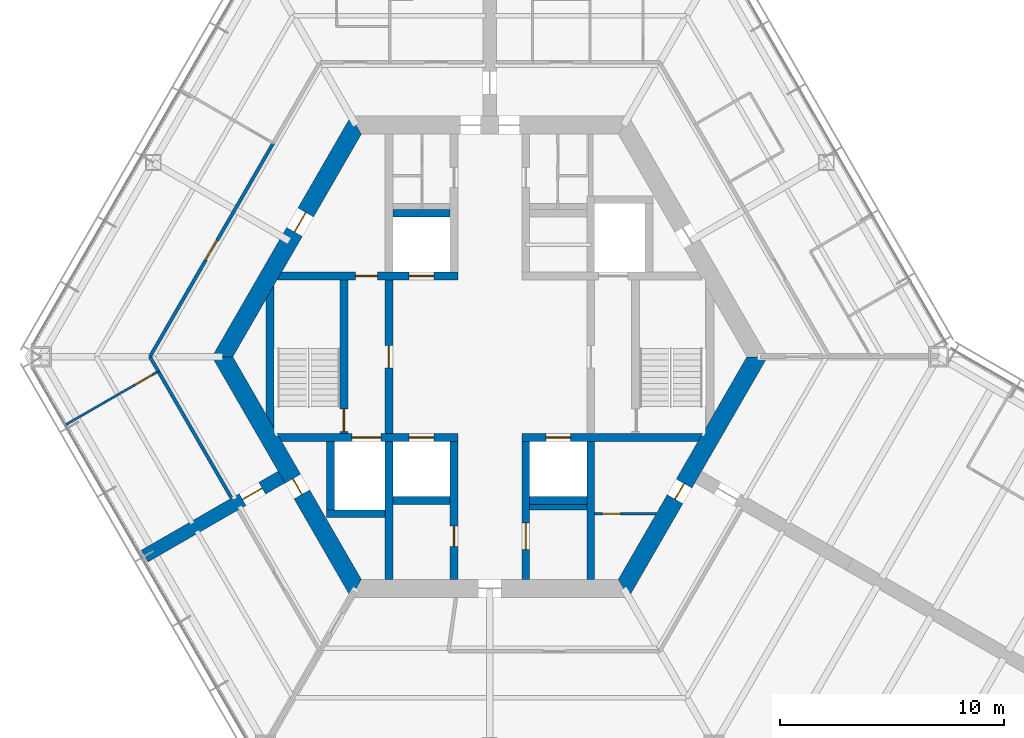
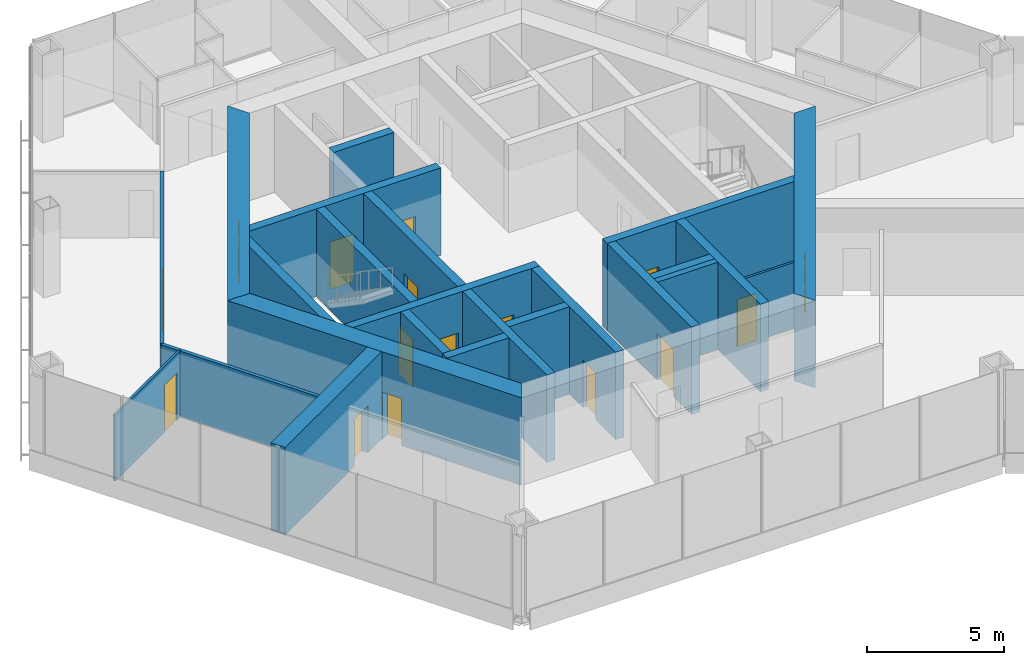
# One storey, part 10 of 15: 25 walls, 16 doors, 16 openings.
"""IFC4 building model written with IfcOpenShell, lengths in metres."""

from ifc_helpers import new_model, si_unit, direction, frame, frame_2d, origin, place, context, subcontext, project, spatial, polyline, rectangle, outline, extrude, material, layer, layer_set, type_object, element, fill, save


model = new_model("IFC4")

# Units and contexts
model_context = context("Model", 3, precision=1e-05, world=origin(), true_north=direction((0.0, 1.0)))
body_context = subcontext(model_context, "Body", "Model", "MODEL_VIEW")
ifc_project = project(units=[si_unit("LENGTHUNIT", "METRE"), si_unit("AREAUNIT", "SQUARE_METRE"), si_unit("VOLUMEUNIT", "CUBIC_METRE"), si_unit("PLANEANGLEUNIT", "RADIAN"), si_unit("MASSUNIT", "GRAM", prefix="KILO")], contexts=[model_context])

# Site, building, storey
site_placement = place(None, origin())
site = spatial("IfcSite", under=ifc_project, at=site_placement, CompositionType="ELEMENT")
building_placement = place(site_placement, origin())
building = spatial("IfcBuilding", under=site, at=building_placement, Name="Kasaneha Research Tower", CompositionType="ELEMENT")
storey_placement = place(building_placement, frame((0.0, 0.0, 212.800048828125)))
storey = spatial("IfcBuildingStorey", under=building, at=storey_placement, Name="L53", CompositionType="ELEMENT", Elevation=212.800048828125)

# Wall, openings, doors
ifc_material_1 = material(Name="Concrete Fc60", Category="concrete")
ifc_layer_1 = layer(ifc_material_1, 0.35009765625)
ifc_layer_set_1 = layer_set([ifc_layer_1], Name="Core internal wall 350 Fc60")
wall_type_1 = type_object("IfcWallType", Name="Core internal wall 350 Fc60", PredefinedType="SHEAR", material=ifc_layer_set_1)
wall_1_placement = place(storey_placement, frame((-9.3818359375, 3.60009765625, 0.0), z_axis=(0.0, 0.0, 1.0), x_axis=(1.0, 0.0, 0.0)))
wall_1 = element("IfcWall", 1, at=wall_1_placement, inside=storey, type_object=wall_type_1, Name="Core wall W1W L53", PredefinedType="SHEAR", context=body_context, shape_type="SweptSolid", body=[
    extrude(outline(polyline([(-0.10107421875, -0.175048828125), (3.3818359375, -0.175048828125), (4.3818359375, -0.175048828125), (5.781982421875, -0.175048828125), (6.882080078125, -0.175048828125), (7.956787109375, -0.175048828125), (7.956787109375, 0.175048828125), (6.882080078125, 0.175048828125), (5.781982421875, 0.175048828125), (4.3818359375, 0.175048828125), (3.3818359375, 0.175048828125), (0.10107421875, 0.175048828125), (-0.10107421875, -0.175048828125)])), origin(), (0.0, 0.0, 1.0), 3.89990234375),
])
opening_1_placement = place(wall_1_placement, frame((3.3818359375, 0.0, 0.0)))
opening_1 = element("IfcOpeningElement", 2, at=opening_1_placement, cuts=wall_1, Name="Opening L53-D12", PredefinedType="OPENING", context=body_context, shape_type="SweptSolid", body=[
    extrude(rectangle(XDim=1.0, YDim=2.10009765625, at=frame_2d((0.5, 1.050048828125))), frame((0.0, 0.18505859375, 0.0), z_axis=(0.0, -1.0, 0.0), x_axis=(1.0, 0.0, 0.0)), (0.0, 0.0, 1.0), 0.3701171875),
])
opening_2_placement = place(wall_1_placement, frame((5.781982421875, 0.0, 0.0)))
opening_2 = element("IfcOpeningElement", 3, at=opening_2_placement, cuts=wall_1, Name="Opening LD-LH2-L53", PredefinedType="OPENING", context=body_context, shape_type="SweptSolid", body=[
    extrude(rectangle(XDim=1.10009765625, YDim=2.10009765625, at=frame_2d((0.550048828125, 1.050048828125))), frame((0.0, 0.18505859375, 0.0), z_axis=(0.0, -1.0, 0.0), x_axis=(1.0, 0.0, 0.0)), (0.0, 0.0, 1.0), 0.3701171875),
])
ifc_material_2 = material(Name="Steel", Category="steel")
door_type_1 = type_object("IfcDoorType", Name="Lift landing door 1100x2100", OperationType="DOUBLE_DOOR_SLIDING", PredefinedType="DOOR", material=ifc_material_2)
door_1_placement = place(opening_2_placement, origin())
door_1 = element("IfcDoor", 4, at=door_1_placement, inside=storey, type_object=door_type_1, Name="Landing door LH2 LD-LH2-L53", OperationType="DOUBLE_DOOR_SLIDING", OverallHeight=2.10009765625, OverallWidth=1.10009765625, PredefinedType="DOOR", context=body_context, shape_type="SweptSolid", body=[
    extrude(rectangle(XDim=1.10009765625, YDim=2.10009765625, at=frame_2d((0.550048828125, 1.050048828125))), frame((0.0, 0.02490234375, 0.0), z_axis=(0.0, -1.0, 0.0), x_axis=(1.0, 0.0, 0.0)), (0.0, 0.0, 1.0), 0.050048828125),
])
fill(opening_2, door_1)
ifc_material_3 = material(Name="Steel", Category="steel")
door_type_2 = type_object("IfcDoorType", Name="Specified fire door FD60 1000x2100", OperationType="NOTDEFINED", PredefinedType="DOOR", material=ifc_material_3)
door_2_placement = place(opening_1_placement, origin())
door_2 = element("IfcDoor", 5, at=door_2_placement, inside=storey, type_object=door_type_2, Name="Vestibule to lobby door L53-D12", OperationType="SINGLE_SWING_LEFT", OverallHeight=2.10009765625, OverallWidth=1.0, PredefinedType="DOOR", context=body_context, shape_type="SweptSolid", body=[
    extrude(rectangle(XDim=1.0, YDim=2.10009765625, at=frame_2d((0.5, 1.050048828125))), frame((0.0, 0.02490234375, 0.0), z_axis=(0.0, -1.0, 0.0), x_axis=(1.0, 0.0, 0.0)), (0.0, 0.0, 1.0), 0.050048828125),
])
fill(opening_1, door_2)

wall_2_placement = place(storey_placement, frame((-9.3818359375, -3.60009765625, 0.0), z_axis=(0.0, 0.0, 1.0), x_axis=(1.0, 0.0, 0.0)))
wall_2 = element("IfcWall", 6, at=wall_2_placement, inside=storey, type_object=wall_type_1, Name="Core wall W2W L53", PredefinedType="SHEAR", context=body_context, shape_type="SweptSolid", body=[
    extrude(outline(polyline([(0.10107421875, -0.175048828125), (3.23193359375, -0.175048828125), (4.531982421875, -0.175048828125), (5.781982421875, -0.175048828125), (6.882080078125, -0.175048828125), (7.956787109375, -0.175048828125), (7.956787109375, 0.175048828125), (6.882080078125, 0.175048828125), (5.781982421875, 0.175048828125), (4.531982421875, 0.175048828125), (3.23193359375, 0.175048828125), (-0.10107421875, 0.175048828125), (0.10107421875, -0.175048828125)])), origin(), (0.0, 0.0, 1.0), 3.89990234375),
])
opening_3_placement = place(wall_2_placement, frame((5.781982421875, 0.0, 0.0)))
opening_3 = element("IfcOpeningElement", 7, at=opening_3_placement, cuts=wall_2, Name="Opening LD-LH1-L53", PredefinedType="OPENING", context=body_context, shape_type="SweptSolid", body=[
    extrude(rectangle(XDim=1.10009765625, YDim=2.10009765625, at=frame_2d((0.550048828125, 1.050048828125))), frame((0.0, 0.18505859375, 0.0), z_axis=(0.0, -1.0, 0.0), x_axis=(1.0, 0.0, 0.0)), (0.0, 0.0, 1.0), 0.3701171875),
])
opening_4_placement = place(wall_2_placement, frame((3.23193359375, 0.0, 0.0)))
opening_4 = element("IfcOpeningElement", 8, at=opening_4_placement, cuts=wall_2, Name="Opening LD-FL2-L53", PredefinedType="OPENING", context=body_context, shape_type="SweptSolid", body=[
    extrude(rectangle(XDim=1.300048828125, YDim=2.10009765625, at=frame_2d((0.64990234375, 1.050048828125))), frame((0.0, 0.18505859375, 0.0), z_axis=(0.0, -1.0, 0.0), x_axis=(1.0, 0.0, 0.0)), (0.0, 0.0, 1.0), 0.3701171875),
])
door_3_placement = place(opening_3_placement, origin())
door_3 = element("IfcDoor", 9, at=door_3_placement, inside=storey, type_object=door_type_1, Name="Landing door LH1 LD-LH1-L53", OperationType="DOUBLE_DOOR_SLIDING", OverallHeight=2.10009765625, OverallWidth=1.10009765625, PredefinedType="DOOR", context=body_context, shape_type="SweptSolid", body=[
    extrude(rectangle(XDim=1.10009765625, YDim=2.10009765625, at=frame_2d((0.550048828125, 1.050048828125))), frame((0.0, 0.02490234375, 0.0), z_axis=(0.0, -1.0, 0.0), x_axis=(1.0, 0.0, 0.0)), (0.0, 0.0, 1.0), 0.050048828125),
])
fill(opening_3, door_3)
ifc_material_4 = material(Name="Steel", Category="steel")
door_type_3 = type_object("IfcDoorType", Name="Lift landing door 1300x2100", OperationType="DOUBLE_DOOR_SLIDING", PredefinedType="DOOR", material=ifc_material_4)
door_4_placement = place(opening_4_placement, origin())
door_4 = element("IfcDoor", 10, at=door_4_placement, inside=storey, type_object=door_type_3, Name="Landing door FL2 LD-FL2-L53", OperationType="DOUBLE_DOOR_SLIDING", OverallHeight=2.10009765625, OverallWidth=1.300048828125, PredefinedType="DOOR", context=body_context, shape_type="SweptSolid", body=[
    extrude(rectangle(XDim=1.300048828125, YDim=2.10009765625, at=frame_2d((0.64990234375, 1.050048828125))), frame((0.0, 0.02490234375, 0.0), z_axis=(0.0, -1.0, 0.0), x_axis=(1.0, 0.0, 0.0)), (0.0, 0.0, 1.0), 0.050048828125),
])
fill(opening_4, door_4)

# Wall, opening, door
wall_3_placement = place(storey_placement, frame((1.425048828125, -3.60009765625, 0.0), z_axis=(0.0, 0.0, 1.0), x_axis=(1.0, 0.0, 0.0)))
wall_3 = element("IfcWall", 11, at=wall_3_placement, inside=storey, type_object=wall_type_1, Name="Core wall W2E L53", PredefinedType="SHEAR", context=body_context, shape_type="SweptSolid", body=[
    extrude(outline(polyline([(0.0, -0.175048828125), (1.074951171875, -0.175048828125), (2.175048828125, -0.175048828125), (7.855712890625, -0.175048828125), (8.057861328125, 0.175048828125), (2.175048828125, 0.175048828125), (1.074951171875, 0.175048828125), (0.0, 0.175048828125), (0.0, -0.175048828125)])), origin(), (0.0, 0.0, 1.0), 3.89990234375),
])
opening_5_placement = place(wall_3_placement, frame((1.074951171875, 0.0, 0.0)))
opening_5 = element("IfcOpeningElement", 12, at=opening_5_placement, cuts=wall_3, Name="Opening LD-LH3-L53", PredefinedType="OPENING", context=body_context, shape_type="SweptSolid", body=[
    extrude(rectangle(XDim=1.10009765625, YDim=2.10009765625, at=frame_2d((0.550048828125, 1.050048828125))), frame((0.0, 0.18505859375, 0.0), z_axis=(0.0, -1.0, 0.0), x_axis=(1.0, 0.0, 0.0)), (0.0, 0.0, 1.0), 0.3701171875),
])
door_5_placement = place(opening_5_placement, origin())
door_5 = element("IfcDoor", 13, at=door_5_placement, inside=storey, type_object=door_type_1, Name="Landing door LH3 LD-LH3-L53", OperationType="DOUBLE_DOOR_SLIDING", OverallHeight=2.10009765625, OverallWidth=1.10009765625, PredefinedType="DOOR", context=body_context, shape_type="SweptSolid", body=[
    extrude(rectangle(XDim=1.10009765625, YDim=2.10009765625, at=frame_2d((0.550048828125, 1.050048828125))), frame((0.0, 0.02490234375, 0.0), z_axis=(0.0, -1.0, 0.0), x_axis=(1.0, 0.0, 0.0)), (0.0, 0.0, 1.0), 0.050048828125),
])
fill(opening_5, door_5)

wall_4_placement = place(storey_placement, frame((-1.60009765625, -3.77490234375, 0.0), z_axis=(0.0, 0.0, 1.0), x_axis=(0.0, -1.0, 0.0)))
wall_4 = element("IfcWall", 14, at=wall_4_placement, inside=storey, type_object=wall_type_1, Name="Core wall CSW L53", PredefinedType="SHEAR", context=body_context, shape_type="SweptSolid", body=[
    extrude(rectangle(XDim=6.150146484375, YDim=0.35009765625, at=frame_2d((3.0751953125, 0.0))), origin(), (0.0, 0.0, 1.0), 3.89990234375),
])
opening_6_placement = place(wall_4_placement, frame((3.77490234375, 0.0, 0.0)))
opening_6 = element("IfcOpeningElement", 15, at=opening_6_placement, cuts=wall_4, Name="Opening L53-D16", PredefinedType="OPENING", context=body_context, shape_type="SweptSolid", body=[
    extrude(rectangle(XDim=0.89990234375, YDim=2.10009765625, at=frame_2d((0.449951171875, 1.050048828125))), frame((0.0, 0.18505859375, 0.0), z_axis=(0.0, -1.0, 0.0), x_axis=(1.0, 0.0, 0.0)), (0.0, 0.0, 1.0), 0.3701171875),
])
ifc_material_5 = material(Name="Steel", Category="steel")
door_type_4 = type_object("IfcDoorType", Name="Riser access door FD60 900x2100", OperationType="NOTDEFINED", PredefinedType="DOOR", material=ifc_material_5)
door_6_placement = place(opening_6_placement, origin())
door_6 = element("IfcDoor", 16, at=door_6_placement, inside=storey, type_object=door_type_4, Name="Electrical riser door L53-D16", OperationType="SINGLE_SWING_LEFT", OverallHeight=2.10009765625, OverallWidth=0.89990234375, PredefinedType="DOOR", context=body_context, shape_type="SweptSolid", body=[
    extrude(rectangle(XDim=0.89990234375, YDim=2.10009765625, at=frame_2d((0.449951171875, 1.050048828125))), frame((0.0, 0.02490234375, 0.0), z_axis=(0.0, -1.0, 0.0), x_axis=(1.0, 0.0, 0.0)), (0.0, 0.0, 1.0), 0.050048828125),
])
fill(opening_6, door_6)

wall_5_placement = place(storey_placement, frame((1.60009765625, -3.77490234375, 0.0), z_axis=(0.0, 0.0, 1.0), x_axis=(0.0, -1.0, 0.0)))
wall_5 = element("IfcWall", 17, at=wall_5_placement, inside=storey, type_object=wall_type_1, Name="Core wall CSE L53", PredefinedType="SHEAR", context=body_context, shape_type="SweptSolid", body=[
    extrude(rectangle(XDim=6.150146484375, YDim=0.35009765625, at=frame_2d((3.0751953125, 0.0))), origin(), (0.0, 0.0, 1.0), 3.89990234375),
])
opening_7_placement = place(wall_5_placement, frame((3.625, 0.0, 0.0)))
opening_7 = element("IfcOpeningElement", 18, at=opening_7_placement, cuts=wall_5, Name="Opening L53-D15", PredefinedType="OPENING", context=body_context, shape_type="SweptSolid", body=[
    extrude(rectangle(XDim=1.199951171875, YDim=2.10009765625, at=frame_2d((0.60009765625, 1.050048828125))), frame((0.0, 0.18505859375, 0.0), z_axis=(0.0, -1.0, 0.0), x_axis=(1.0, 0.0, 0.0)), (0.0, 0.0, 1.0), 0.3701171875),
])
ifc_material_6 = material(Name="Steel", Category="steel")
door_type_5 = type_object("IfcDoorType", Name="Accessible toilet sliding door FD20 1200x2100", OperationType="SLIDING_TO_LEFT", PredefinedType="DOOR", material=ifc_material_6)
door_7_placement = place(opening_7_placement, origin())
door_7 = element("IfcDoor", 19, at=door_7_placement, inside=storey, type_object=door_type_5, Name="Accessible WC door L53-D15", OperationType="SLIDING_TO_LEFT", OverallHeight=2.10009765625, OverallWidth=1.199951171875, PredefinedType="DOOR", context=body_context, shape_type="SweptSolid", body=[
    extrude(rectangle(XDim=1.199951171875, YDim=2.10009765625, at=frame_2d((0.60009765625, 1.050048828125))), frame((0.0, 0.02490234375, 0.0), z_axis=(0.0, -1.0, 0.0), x_axis=(1.0, 0.0, 0.0)), (0.0, 0.0, 1.0), 0.050048828125),
])
fill(opening_7, door_7)

wall_6_placement = place(storey_placement, frame((-4.5, -3.425048828125, 0.0), z_axis=(0.0, 0.0, 1.0), x_axis=(0.0, 1.0, 0.0)))
wall_6 = element("IfcWall", 20, at=wall_6_placement, inside=storey, type_object=wall_type_1, Name="Core wall LBW L53", PredefinedType="SHEAR", context=body_context, shape_type="SweptSolid", body=[
    extrude(rectangle(XDim=6.85009765625, YDim=0.35009765625, at=frame_2d((3.425048828125, 0.0))), origin(), (0.0, 0.0, 1.0), 3.89990234375),
])
opening_8_placement = place(wall_6_placement, frame((2.925048828125, 0.0, 0.0)))
opening_8 = element("IfcOpeningElement", 21, at=opening_8_placement, cuts=wall_6, Name="Opening L53-D09", PredefinedType="OPENING", context=body_context, shape_type="SweptSolid", body=[
    extrude(rectangle(XDim=1.0, YDim=2.10009765625, at=frame_2d((0.5, 1.050048828125))), frame((0.0, 0.18505859375, 0.0), z_axis=(0.0, -1.0, 0.0), x_axis=(1.0, 0.0, 0.0)), (0.0, 0.0, 1.0), 0.3701171875),
])
door_8_placement = place(opening_8_placement, origin())
door_8 = element("IfcDoor", 22, at=door_8_placement, inside=storey, type_object=door_type_2, Name="Lift lobby door west L53-D09", OperationType="SINGLE_SWING_LEFT", OverallHeight=2.10009765625, OverallWidth=1.0, PredefinedType="DOOR", context=body_context, shape_type="SweptSolid", body=[
    extrude(rectangle(XDim=1.0, YDim=2.10009765625, at=frame_2d((0.5, 1.050048828125))), frame((0.0, 0.02490234375, 0.0), z_axis=(0.0, -1.0, 0.0), x_axis=(1.0, 0.0, 0.0)), (0.0, 0.0, 1.0), 0.050048828125),
])
fill(opening_8, door_8)

wall_7_placement = place(storey_placement, frame((-6.5, -3.425048828125, 0.0), z_axis=(0.0, 0.0, 1.0), x_axis=(0.0, 1.0, 0.0)))
wall_7 = element("IfcWall", 23, at=wall_7_placement, inside=storey, type_object=wall_type_1, Name="Core wall ANW L53", PredefinedType="SHEAR", context=body_context, shape_type="SweptSolid", body=[
    extrude(rectangle(XDim=6.85009765625, YDim=0.35009765625, at=frame_2d((3.425048828125, 0.0))), origin(), (0.0, 0.0, 1.0), 3.89990234375),
])
opening_9_placement = place(wall_7_placement, frame((0.10009765625, 0.0, 0.0)))
opening_9 = element("IfcOpeningElement", 24, at=opening_9_placement, cuts=wall_7, Name="Opening L53-D11", PredefinedType="OPENING", context=body_context, shape_type="SweptSolid", body=[
    extrude(rectangle(XDim=1.0, YDim=2.10009765625, at=frame_2d((0.5, 1.050048828125))), frame((0.0, 0.18505859375, 0.0), z_axis=(0.0, -1.0, 0.0), x_axis=(1.0, 0.0, 0.0)), (0.0, 0.0, 1.0), 0.3701171875),
])
door_9_placement = place(opening_9_placement, origin())
door_9 = element("IfcDoor", 25, at=door_9_placement, inside=storey, type_object=door_type_2, Name="Stair 2 door L53-D11", OperationType="SINGLE_SWING_LEFT", OverallHeight=2.10009765625, OverallWidth=1.0, PredefinedType="DOOR", context=body_context, shape_type="SweptSolid", body=[
    extrude(rectangle(XDim=1.0, YDim=2.10009765625, at=frame_2d((0.5, 1.050048828125))), frame((0.0, 0.02490234375, 0.0), z_axis=(0.0, -1.0, 0.0), x_axis=(1.0, 0.0, 0.0)), (0.0, 0.0, 1.0), 0.050048828125),
])
fill(opening_9, door_9)

# Walls
for number, where, z_axis, x_axis, name in (
    (26, (-4.5, -3.77490234375, 0.0), (0.0, 0.0, 1.0), (0.0, -1.0, 0.0), "Core wall SSW L53"),
    (27, (4.5, -3.77490234375, 0.0), (0.0, 0.0, 1.0), (0.0, -1.0, 0.0), "Core wall SSE L53"),
):
    element("IfcWall", number, at=place(storey_placement, frame(where, z_axis=z_axis, x_axis=x_axis)), inside=storey, type_object=wall_type_1, Name=name, PredefinedType="SHEAR", context=body_context, shape_type="SweptSolid", body=[
        extrude(rectangle(XDim=6.150146484375, YDim=0.35009765625, at=frame_2d((3.0751953125, 0.0))), origin(), (0.0, 0.0, 1.0), 3.89990234375),
    ])
for number, where, z_axis, x_axis, name in (
    (28, (-4.324951171875, 6.39990234375, 0.0), (0.0, 0.0, 1.0), (1.0, 0.0, 0.0), "Core wall N1N L53"),
    (29, (-4.324951171875, -6.39990234375, 0.0), (0.0, 0.0, 1.0), (1.0, 0.0, 0.0), "Core wall S1S L53"),
    (30, (1.77490234375, -6.39990234375, 0.0), (0.0, 0.0, 1.0), (1.0, 0.0, 0.0), "Core wall S3S L53"),
):
    element("IfcWall", number, at=place(storey_placement, frame(where, z_axis=z_axis, x_axis=x_axis)), inside=storey, type_object=wall_type_1, Name=name, PredefinedType="SHEAR", context=body_context, shape_type="SweptSolid", body=[
        extrude(rectangle(XDim=2.550048828125, YDim=0.35009765625, at=frame_2d((1.27490234375, 0.0))), origin(), (0.0, 0.0, 1.0), 3.89990234375),
    ])
wall_8_placement = place(storey_placement, frame((-7.27490234375, -7.0, 0.0), z_axis=(0.0, 0.0, 1.0), x_axis=(1.0, 0.0, 0.0)))
element("IfcWall", 31, at=wall_8_placement, inside=storey, type_object=wall_type_1, Name="Core wall F2S L53", PredefinedType="SHEAR", context=body_context, shape_type="SweptSolid", body=[
    extrude(rectangle(XDim=2.599853515625, YDim=0.35009765625, at=frame_2d((1.2998046875, 0.0))), origin(), (0.0, 0.0, 1.0), 3.89990234375),
])
wall_9_placement = place(storey_placement, frame((-7.10009765625, -3.77490234375, 0.0), z_axis=(0.0, 0.0, 1.0), x_axis=(0.0, -1.0, 0.0)))
element("IfcWall", 32, at=wall_9_placement, inside=storey, type_object=wall_type_1, Name="Core wall F2W L53", PredefinedType="SHEAR", context=body_context, shape_type="SweptSolid", body=[
    extrude(rectangle(XDim=3.050048828125, YDim=0.35009765625, at=frame_2d((1.52490234375, 0.0))), origin(), (0.0, 0.0, 1.0), 3.89990234375),
])
wall_10_placement = place(storey_placement, frame((-9.807861328125, -2.8623046875, 0.0), z_axis=(0.0, 0.0, 1.0), x_axis=(0.0, 1.0, 0.0)))
element("IfcWall", 33, at=wall_10_placement, inside=storey, type_object=wall_type_1, Name="Core wall STW L53", PredefinedType="SHEAR", context=body_context, shape_type="SweptSolid", body=[
    extrude(outline(polyline([(-0.30322265625, -0.175048828125), (6.02783203125, -0.175048828125), (5.42138671875, 0.175048828125), (0.30322265625, 0.175048828125), (-0.30322265625, -0.175048828125)])), origin(), (0.0, 0.0, 1.0), 3.89990234375),
])

# Wall, opening, door
ifc_material_7 = material(Name="Concrete Fc60", Category="concrete")
ifc_layer_2 = layer(ifc_material_7, 0.800048828125)
ifc_layer_set_2 = layer_set([ifc_layer_2], Name="Core wall 800 Fc60")
wall_type_2 = type_object("IfcWallType", Name="Core wall 800 Fc60", PredefinedType="SHEAR", material=ifc_layer_set_2)
wall_11_placement = place(storey_placement, frame((-5.961181640625, 10.324951171875, 0.0), z_axis=(0.0, 0.0, 1.0), x_axis=(-0.500004296715, -0.866022923061, 0.0)))
wall_11 = element("IfcWall", 34, at=wall_11_placement, inside=storey, type_object=wall_type_2, Name="Core wall 150 L53", PredefinedType="SHEAR", context=body_context, shape_type="SweptSolid", body=[
    extrude(outline(polyline([(-0.23095703125, -0.39990234375), (4.494140625, -0.39990234375), (5.494140625, -0.39990234375), (12.1533203125, -0.39990234375), (11.69140625, 0.39990234375), (5.494140625, 0.39990234375), (4.494140625, 0.39990234375), (0.23095703125, 0.39990234375), (-0.23095703125, -0.39990234375)])), origin(), (0.0, 0.0, 1.0), 3.89990234375),
])
opening_10_placement = place(wall_11_placement, frame((4.494140625, 0.0, 0.0)))
opening_10 = element("IfcOpeningElement", 35, at=opening_10_placement, cuts=wall_11, Name="Opening L53-D07", PredefinedType="OPENING", context=body_context, shape_type="SweptSolid", body=[
    extrude(rectangle(XDim=1.0, YDim=2.10009765625, at=frame_2d((0.5, 1.050048828125))), frame((0.0, 0.41015625, 0.0), z_axis=(0.0, -1.0, 0.0), x_axis=(1.0, 0.0, 0.0)), (0.0, 0.0, 1.0), 0.820068359375),
])
ifc_material_8 = material(Name="Steel", Category="steel")
door_type_6 = type_object("IfcDoorType", Name="Fire door FD20 1000x2100", OperationType="NOTDEFINED", PredefinedType="DOOR", material=ifc_material_8)
door_10_placement = place(opening_10_placement, origin())
door_10 = element("IfcDoor", 36, at=door_10_placement, inside=storey, type_object=door_type_6, Name="Vestibule door L53-D07", OperationType="SINGLE_SWING_LEFT", OverallHeight=2.10009765625, OverallWidth=1.0, PredefinedType="DOOR", context=body_context, shape_type="SweptSolid", body=[
    extrude(rectangle(XDim=1.0, YDim=2.10009765625, at=frame_2d((0.5, 1.050048828125))), frame((0.0, 0.02490234375, 0.0), z_axis=(0.0, -1.0, 0.0), x_axis=(1.0, 0.0, 0.0)), (0.0, 0.0, 1.0), 0.050048828125),
])
fill(opening_10, door_10)

wall_12_placement = place(storey_placement, frame((-11.92236328125, 0.0, 0.0), z_axis=(0.0, 0.0, 1.0), x_axis=(0.500004296715, -0.866022923061, 0.0)))
wall_12 = element("IfcWall", 37, at=wall_12_placement, inside=storey, type_object=wall_type_2, Name="Core wall 210 L53", PredefinedType="SHEAR", context=body_context, shape_type="SweptSolid", body=[
    extrude(outline(polyline([(-0.23095703125, -0.39990234375), (6.28125, -0.39990234375), (7.081298828125, -0.39990234375), (12.1533203125, -0.39990234375), (11.69140625, 0.39990234375), (7.081298828125, 0.39990234375), (6.28125, 0.39990234375), (0.23095703125, 0.39990234375), (-0.23095703125, -0.39990234375)])), origin(), (0.0, 0.0, 1.0), 3.89990234375),
])
opening_11_placement = place(wall_12_placement, frame((6.28125, 0.0, 0.0)))
opening_11 = element("IfcOpeningElement", 38, at=opening_11_placement, cuts=wall_12, Name="Opening L53-D06", PredefinedType="OPENING", context=body_context, shape_type="SweptSolid", body=[
    extrude(rectangle(XDim=0.800048828125, YDim=2.10009765625, at=frame_2d((0.39990234375, 1.050048828125))), frame((0.0, 0.41015625, 0.0), z_axis=(0.0, -1.0, 0.0), x_axis=(1.0, 0.0, 0.0)), (0.0, 0.0, 1.0), 0.820068359375),
])
ifc_material_9 = material(Name="Steel", Category="steel")
door_type_7 = type_object("IfcDoorType", Name="Riser access door FD60 800x2100", OperationType="NOTDEFINED", PredefinedType="DOOR", material=ifc_material_9)
door_11_placement = place(opening_11_placement, origin())
door_11 = element("IfcDoor", 39, at=door_11_placement, inside=storey, type_object=door_type_7, Name="Duct riser door L53-D06", OperationType="SINGLE_SWING_RIGHT", OverallHeight=2.10009765625, OverallWidth=0.800048828125, PredefinedType="DOOR", context=body_context, shape_type="SweptSolid", body=[
    extrude(rectangle(XDim=0.800048828125, YDim=2.10009765625, at=frame_2d((0.39990234375, 1.050048828125))), frame((0.0, 0.02490234375, 0.0), z_axis=(0.0, -1.0, 0.0), x_axis=(1.0, 0.0, 0.0)), (0.0, 0.0, 1.0), 0.050048828125),
])
fill(opening_11, door_11)

wall_13_placement = place(storey_placement, frame((5.961181640625, -10.324951171875, 0.0), z_axis=(0.0, 0.0, 1.0), x_axis=(0.500004296715, 0.866022923061, 0.0)))
wall_13 = element("IfcWall", 40, at=wall_13_placement, inside=storey, type_object=wall_type_2, Name="Core wall 330 L53", PredefinedType="SHEAR", context=body_context, shape_type="SweptSolid", body=[
    extrude(outline(polyline([(-0.23095703125, -0.39990234375), (4.593994140625, -0.39990234375), (5.39404296875, -0.39990234375), (12.1533203125, -0.39990234375), (11.69140625, 0.39990234375), (5.39404296875, 0.39990234375), (4.593994140625, 0.39990234375), (0.23095703125, 0.39990234375), (-0.23095703125, -0.39990234375)])), origin(), (0.0, 0.0, 1.0), 3.89990234375),
])
opening_12_placement = place(wall_13_placement, frame((4.593994140625, 0.0, 0.0)))
opening_12 = element("IfcOpeningElement", 41, at=opening_12_placement, cuts=wall_13, Name="Opening L53-D05", PredefinedType="OPENING", context=body_context, shape_type="SweptSolid", body=[
    extrude(rectangle(XDim=0.800048828125, YDim=2.10009765625, at=frame_2d((0.39990234375, 1.050048828125))), frame((0.0, 0.41015625, 0.0), z_axis=(0.0, -1.0, 0.0), x_axis=(1.0, 0.0, 0.0)), (0.0, 0.0, 1.0), 0.820068359375),
])
door_12_placement = place(opening_12_placement, origin())
door_12 = element("IfcDoor", 42, at=door_12_placement, inside=storey, type_object=door_type_7, Name="Pipe riser door L53-D05", OperationType="SINGLE_SWING_LEFT", OverallHeight=2.10009765625, OverallWidth=0.800048828125, PredefinedType="DOOR", context=body_context, shape_type="SweptSolid", body=[
    extrude(rectangle(XDim=0.800048828125, YDim=2.10009765625, at=frame_2d((0.39990234375, 1.050048828125))), frame((0.0, 0.02490234375, 0.0), z_axis=(0.0, -1.0, 0.0), x_axis=(1.0, 0.0, 0.0)), (0.0, 0.0, 1.0), 0.050048828125),
])
fill(opening_12, door_12)

ifc_material_10 = material(Name="Gypsum board on steel studs, one layer each side", Category="steel")
ifc_layer_3 = layer(ifc_material_10, 0.10009765625)
ifc_layer_set_3 = layer_set([ifc_layer_3], Name="Office partition 100")
wall_type_3 = type_object("IfcWallType", Name="Office partition 100", PredefinedType="PARTITIONING", material=ifc_layer_set_3)
wall_14_placement = place(storey_placement, frame((4.675048828125, -7.0, 0.0), z_axis=(0.0, 0.0, 1.0), x_axis=(1.0, 0.0, 0.0)))
wall_14 = element("IfcWall", 43, at=wall_14_placement, inside=storey, type_object=wall_type_3, Name="Office partition RS-SE L53", PredefinedType="PARTITIONING", context=body_context, shape_type="SweptSolid", body=[
    extrude(outline(polyline([(0.0, -0.050048828125), (0.35009765625, -0.050048828125), (1.150146484375, -0.050048828125), (2.715087890625, -0.050048828125), (2.743896484375, 0.0), (2.749755859375, 0.050048828125), (1.150146484375, 0.050048828125), (0.35009765625, 0.050048828125), (0.0, 0.050048828125), (0.0, -0.050048828125)])), origin(), (0.0, 0.0, 1.0), 2.949951171875),
])
opening_13_placement = place(wall_14_placement, frame((0.35009765625, 0.0, 0.0)))
opening_13 = element("IfcOpeningElement", 44, at=opening_13_placement, cuts=wall_14, Name="Opening L53-D24", PredefinedType="OPENING", context=body_context, shape_type="SweptSolid", body=[
    extrude(rectangle(XDim=0.800048828125, YDim=2.10009765625, at=frame_2d((0.39990234375, 1.050048828125))), frame((0.0, 0.06005859375, 0.0), z_axis=(0.0, -1.0, 0.0), x_axis=(1.0, 0.0, 0.0)), (0.0, 0.0, 1.0), 0.1201171875),
])
door_13_placement = place(opening_13_placement, origin())
door_13 = element("IfcDoor", 45, at=door_13_placement, inside=storey, type_object=door_type_7, Name="Drainage riser door L53-D24", OperationType="SINGLE_SWING_LEFT", OverallHeight=2.10009765625, OverallWidth=0.800048828125, PredefinedType="DOOR", context=body_context, shape_type="SweptSolid", body=[
    extrude(rectangle(XDim=0.800048828125, YDim=2.10009765625, at=frame_2d((0.39990234375, 1.050048828125))), frame((0.0, 0.02490234375, 0.0), z_axis=(0.0, -1.0, 0.0), x_axis=(1.0, 0.0, 0.0)), (0.0, 0.0, 1.0), 0.050048828125),
])
fill(opening_13, door_13)

wall_15_placement = place(storey_placement, frame((-18.926513671875, -3.03955078125, 0.0), z_axis=(0.0, 0.0, 1.0), x_axis=(0.866495418212, 0.499185026035, 0.0)))
wall_15 = element("IfcWall", 46, at=wall_15_placement, inside=storey, type_object=wall_type_3, Name="Office partition FBN06 L53", PredefinedType="PARTITIONING", context=body_context, shape_type="SweptSolid", body=[
    extrude(rectangle(XDim=4.78564453125, YDim=0.10009765625, at=frame_2d((2.392822265625, 0.0))), origin(), (0.0, 0.0, 1.0), 2.949951171875),
])
opening_14_placement = place(wall_15_placement, frame((3.58544921875, 0.0, 0.0)))
opening_14 = element("IfcOpeningElement", 47, at=opening_14_placement, cuts=wall_15, Name="Opening L53-D38", PredefinedType="OPENING", context=body_context, shape_type="SweptSolid", body=[
    extrude(rectangle(XDim=0.89990234375, YDim=2.10009765625, at=frame_2d((0.449951171875, 1.050048828125))), frame((0.0, 0.06005859375, 0.0), z_axis=(0.0, -1.0, 0.0), x_axis=(1.0, 0.0, 0.0)), (0.0, 0.0, 1.0), 0.1201171875),
])
ifc_material_11 = material(Name="Timber veneer", Category="wood")
door_type_8 = type_object("IfcDoorType", Name="Office door 900x2100", OperationType="SINGLE_SWING_LEFT", PredefinedType="DOOR", material=ifc_material_11)
door_14_placement = place(opening_14_placement, origin())
door_14 = element("IfcDoor", 48, at=door_14_placement, inside=storey, type_object=door_type_8, Name="Reception room door L53-D38", OperationType="SINGLE_SWING_RIGHT", OverallHeight=2.10009765625, OverallWidth=0.89990234375, PredefinedType="DOOR", context=body_context, shape_type="SweptSolid", body=[
    extrude(rectangle(XDim=0.89990234375, YDim=2.10009765625, at=frame_2d((0.449951171875, 1.050048828125))), frame((0.0, 0.02490234375, 0.0), z_axis=(0.0, -1.0, 0.0), x_axis=(1.0, 0.0, 0.0)), (0.0, 0.0, 1.0), 0.050048828125),
])
fill(opening_14, door_14)

ifc_material_12 = material(Name="Concrete Fc60", Category="concrete")
ifc_layer_4 = layer(ifc_material_12, 0.60009765625)
ifc_layer_set_4 = layer_set([ifc_layer_4], Name="Spine wall 600 Fc60")
wall_type_4 = type_object("IfcWallType", Name="Spine wall 600 Fc60", PredefinedType="SHEAR", material=ifc_layer_set_4)
wall_16_placement = place(storey_placement, frame((-9.2880859375, -5.362548828125, 0.0), z_axis=(0.0, 0.0, 1.0), x_axis=(-0.866027473358, -0.499996415376, 0.0)))
wall_16 = element("IfcWall", 49, at=wall_16_placement, inside=storey, type_object=wall_type_4, Name="Spine wall B L53", PredefinedType="SHEAR", context=body_context, shape_type="SweptSolid", body=[
    extrude(rectangle(XDim=7.04541015625, YDim=0.60009765625, at=frame_2d((3.522705078125, 0.0))), origin(), (0.0, 0.0, 1.0), 3.89990234375),
])
opening_15_placement = place(wall_16_placement, frame((1.0, 0.0, 0.0)))
opening_15 = element("IfcOpeningElement", 50, at=opening_15_placement, cuts=wall_16, Name="Opening L53-D18", PredefinedType="OPENING", context=body_context, shape_type="SweptSolid", body=[
    extrude(rectangle(XDim=1.0, YDim=2.10009765625, at=frame_2d((0.5, 1.050048828125))), frame((0.0, 0.31005859375, 0.0), z_axis=(0.0, -1.0, 0.0), x_axis=(1.0, 0.0, 0.0)), (0.0, 0.0, 1.0), 0.6201171875),
])
door_15_placement = place(opening_15_placement, origin())
door_15 = element("IfcDoor", 51, at=door_15_placement, inside=storey, type_object=door_type_2, Name="Spine doorway B L53-D18", OperationType="SINGLE_SWING_LEFT", OverallHeight=2.10009765625, OverallWidth=1.0, PredefinedType="DOOR", context=body_context, shape_type="SweptSolid", body=[
    extrude(rectangle(XDim=1.0, YDim=2.10009765625, at=frame_2d((0.5, 1.050048828125))), frame((0.0, 0.02490234375, 0.0), z_axis=(0.0, -1.0, 0.0), x_axis=(1.0, 0.0, 0.0)), (0.0, 0.0, 1.0), 0.050048828125),
])
fill(opening_15, door_15)

# Wall
ifc_material_13 = material(Name="Gypsum board on steel studs, two layers each side", Category="steel")
ifc_layer_5 = layer(ifc_material_13, 0.14990234375)
ifc_layer_set_5 = layer_set([ifc_layer_5], Name="Suite partition 150")
wall_type_5 = type_object("IfcWallType", Name="Suite partition 150", PredefinedType="PARTITIONING", material=ifc_layer_set_5)
wall_17_placement = place(storey_placement, frame((-11.526611328125, -6.285400390625, 0.0), z_axis=(0.0, 0.0, 1.0), x_axis=(-0.500003537243, 0.866023361547, 0.0)))
element("IfcWall", 52, at=wall_17_placement, inside=storey, type_object=wall_type_5, Name="Suite partition FBN02 L53", PredefinedType="PARTITIONING", context=body_context, shape_type="SweptSolid", body=[
    extrude(rectangle(XDim=6.51611328125, YDim=0.14990234375, at=frame_2d((3.258056640625, 0.0))), origin(), (0.0, 0.0, 1.0), 2.949951171875),
])

# Wall, opening, door
wall_18_placement = place(storey_placement, frame((-15.155517578125, 0.0, 0.0), z_axis=(0.0, 0.0, 1.0), x_axis=(0.500006847747, 0.8660214502, 0.0)))
wall_18 = element("IfcWall", 53, at=wall_18_placement, inside=storey, type_object=wall_type_5, Name="Suite partition FBN03 L53", PredefinedType="PARTITIONING", context=body_context, shape_type="SweptSolid", body=[
    extrude(rectangle(XDim=10.997802734375, YDim=0.14990234375, at=frame_2d((5.4990234375, 0.0))), origin(), (0.0, 0.0, 1.0), 2.949951171875),
])
opening_16_placement = place(wall_18_placement, frame((4.998779296875, 0.0, 0.0)))
opening_16 = element("IfcOpeningElement", 54, at=opening_16_placement, cuts=wall_18, Name="Opening L53-D36", PredefinedType="OPENING", context=body_context, shape_type="SweptSolid", body=[
    extrude(rectangle(XDim=1.0, YDim=2.10009765625, at=frame_2d((0.5, 1.050048828125))), frame((0.0, 0.0849609375, 0.0), z_axis=(0.0, -1.0, 0.0), x_axis=(1.0, 0.0, 0.0)), (0.0, 0.0, 1.0), 0.169921875),
])
ifc_material_14 = material(Name="Steel", Category="steel")
door_type_9 = type_object("IfcDoorType", Name="Suite entrance door FD60 1000x2100", OperationType="NOTDEFINED", PredefinedType="DOOR", material=ifc_material_14)
door_16_placement = place(opening_16_placement, origin())
door_16 = element("IfcDoor", 55, at=door_16_placement, inside=storey, type_object=door_type_9, Name="Suite entrance door L53-D36", OperationType="SINGLE_SWING_RIGHT", OverallHeight=2.10009765625, OverallWidth=1.0, PredefinedType="DOOR", context=body_context, shape_type="SweptSolid", body=[
    extrude(rectangle(XDim=1.0, YDim=2.10009765625, at=frame_2d((0.5, 1.050048828125))), frame((0.0, 0.02490234375, 0.0), z_axis=(0.0, -1.0, 0.0), x_axis=(1.0, 0.0, 0.0)), (0.0, 0.0, 1.0), 0.050048828125),
])
fill(opening_16, door_16)

# Walls
wall_19_placement = place(storey_placement, frame((-14.77978515625, -0.650634765625, 0.0), z_axis=(0.0, 0.0, 1.0), x_axis=(-0.500088105676, 0.865974529972, 0.0)))
element("IfcWall", 56, at=wall_19_placement, inside=storey, type_object=wall_type_5, Name="Suite partition FBN04 L53", PredefinedType="PARTITIONING", context=body_context, shape_type="SweptSolid", body=[
    extrude(rectangle(XDim=0.751220703125, YDim=0.14990234375, at=frame_2d((0.37548828125, 0.0))), origin(), (0.0, 0.0, 1.0), 2.949951171875),
])
ifc_material_15 = material(Name="Concrete block lining", Category="concrete")
ifc_layer_6 = layer(ifc_material_15, 0.25)
ifc_layer_set_6 = layer_set([ifc_layer_6], Name="WC plumbing wall 250")
wall_type_6 = type_object("IfcWallType", Name="WC plumbing wall 250", PredefinedType="PLUMBINGWALL", material=ifc_layer_set_6)
wall_20_placement = place(storey_placement, frame((1.77490234375, -6.699951171875, 0.0), z_axis=(0.0, 0.0, 1.0), x_axis=(1.0, 0.0, 0.0)))
element("IfcWall", 57, at=wall_20_placement, inside=storey, type_object=wall_type_6, Name="WC plumbing wall A L53", PredefinedType="PLUMBINGWALL", context=body_context, shape_type="SweptSolid", body=[
    extrude(rectangle(XDim=2.550048828125, YDim=0.25, at=frame_2d((1.27490234375, 0.0))), origin(), (0.0, 0.0, 1.0), 3.89990234375),
])

save(model, "model.ifc")
